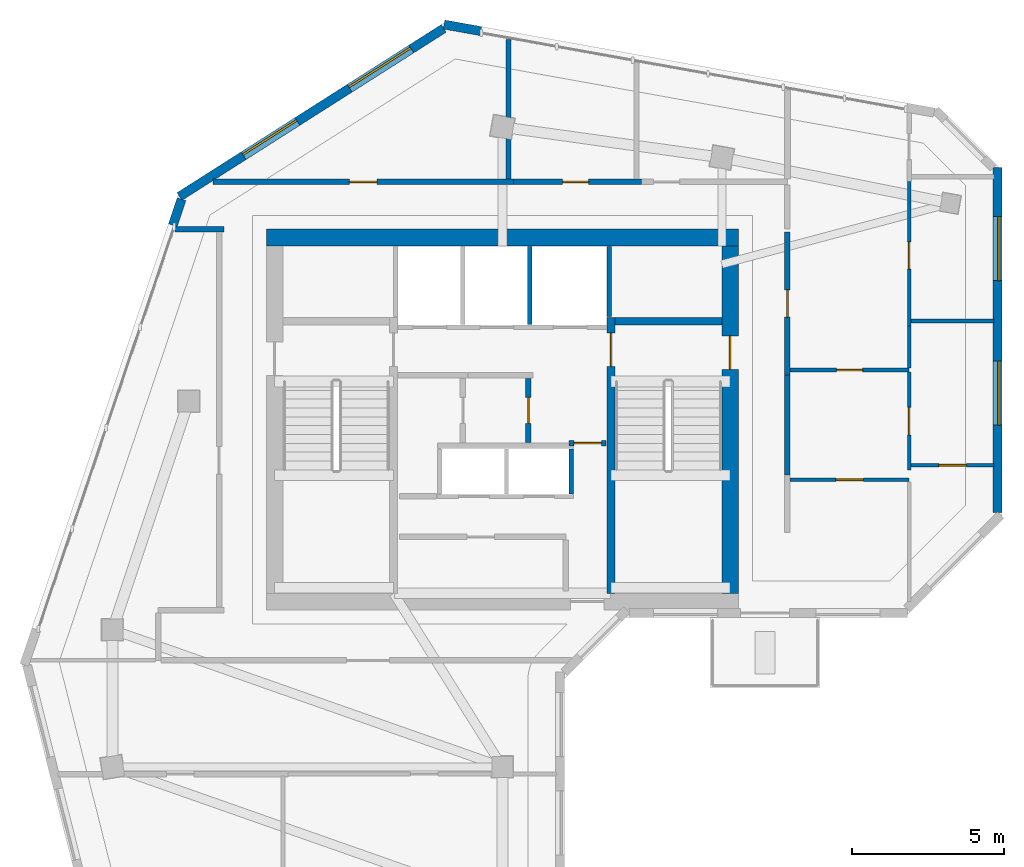
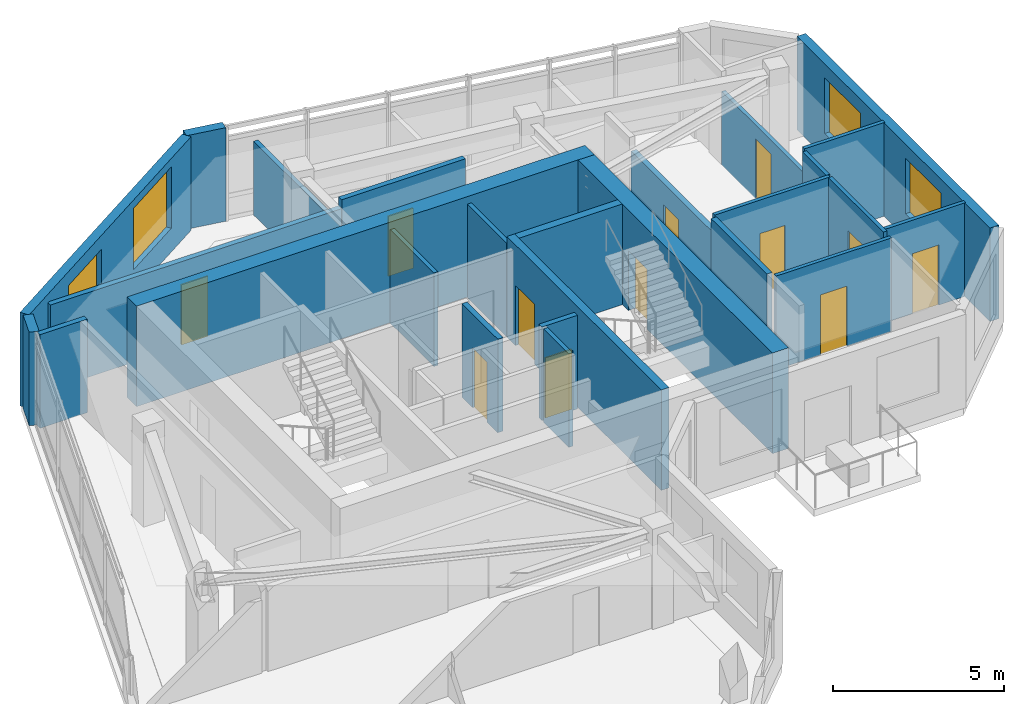
# One storey, part 4 of 7: 26 walls, 12 doors, 4 windows, 16 openings.
"""IFC4 building model written with IfcOpenShell, lengths in metres."""

from ifc_helpers import new_model, si_unit, direction, frame, frame_2d, origin, place, context, subcontext, project, spatial, rectangle, extrude, source, transform, mapped, material, layer, layer_set, type_object, element, fill, save


model = new_model("IFC4")

# Units and contexts
model_context = context("Model", 3, precision=1e-05, world=origin(), true_north=direction((0.0, 1.0)))
body_context = subcontext(model_context, "Body", "Model", "MODEL_VIEW")
ifc_project = project(units=[si_unit("LENGTHUNIT", "METRE"), si_unit("AREAUNIT", "SQUARE_METRE"), si_unit("VOLUMEUNIT", "CUBIC_METRE"), si_unit("PLANEANGLEUNIT", "RADIAN"), si_unit("MASSUNIT", "GRAM", prefix="KILO")], contexts=[model_context])

# Site, building, storey
site_placement = place(None, origin())
site = spatial("IfcSite", under=ifc_project, at=site_placement, CompositionType="ELEMENT")
building_placement = place(site_placement, origin())
building = spatial("IfcBuilding", under=site, at=building_placement, Name="Calvemar Wedge Station Tower", CompositionType="ELEMENT")
storey_placement = place(building_placement, frame((0.0, 0.0, 278.10009765625)))
storey = spatial("IfcBuildingStorey", under=building, at=storey_placement, Name="L71", CompositionType="ELEMENT", Elevation=278.10009765625)

# Wall, opening, door
ifc_material_1 = material(Name="Concrete C50", Category="concrete")
ifc_layer_1 = layer(ifc_material_1, 0.260009765625)
ifc_layer_set_1 = layer_set([ifc_layer_1], Name="Concrete C50")
wall_type_1 = type_object("IfcWallType", Name="SW-CORE-260", PredefinedType="SHEAR", material=ifc_layer_set_1)
wall_1_placement = place(storey_placement, frame((27.3701171875, 34.199951171875, 0.0), z_axis=(0.0, 0.0, 1.0), x_axis=(0.0, 1.0, 0.0)))
wall_1 = element("IfcWall", 1, at=wall_1_placement, inside=storey, type_object=wall_type_1, Name="Storey L71 Core Shear Wall SPINE-E", PredefinedType="SHEAR", context=body_context, shape_type="SweptSolid", body=[
    extrude(rectangle(XDim=9.06005859375, YDim=0.260009765625, at=frame_2d((4.530029296875, 0.0))), origin(), (0.0, 0.0, 1.0), 3.599853515625),
])
shared_shape_1 = source(origin(), body_context, "Body", "SweptSolid", [
    extrude(rectangle(XDim=1.10009765625, YDim=2.14990234375, at=frame_2d((0.550048828125, 1.074951171875))), frame((0.0, 0.14013671875, 0.0), z_axis=(0.0, -1.0, 0.0), x_axis=(1.0, 0.0, 0.0)), (0.0, 0.0, 1.0), 0.280029296875),
])
opening_1_placement = place(wall_1_placement, frame((7.449951171875, 0.0, 0.0)))
opening_1 = element("IfcOpeningElement", 2, at=opening_1_placement, cuts=wall_1, Name="Opening FD-90", PredefinedType="OPENING", context=body_context, shape_type="MappedRepresentation", body=[
    mapped(shared_shape_1, transform((0.0, 0.0, 0.0), scale=1.0)),
])
ifc_material_2 = material(Name="Galvanized fire-rated steel door leaf P-90", Category="steel")
door_type_1 = type_object("IfcDoorType", Name="DR-FD90-1100", OperationType="NOTDEFINED", PredefinedType="DOOR", material=ifc_material_2)
shared_shape_2 = source(origin(), body_context, "Body", "SweptSolid", [
    extrude(rectangle(XDim=1.10009765625, YDim=2.14990234375, at=frame_2d((0.550048828125, 1.074951171875))), frame((0.0, 0.02490234375, 0.0), z_axis=(0.0, -1.0, 0.0), x_axis=(1.0, 0.0, 0.0)), (0.0, 0.0, 1.0), 0.050048828125),
])
door_1_placement = place(opening_1_placement, origin())
door_1 = element("IfcDoor", 3, at=door_1_placement, inside=storey, type_object=door_type_1, Name="L71 FF Lobby to Stair ST-C2 Door", OperationType="SINGLE_SWING_RIGHT", OverallHeight=2.14990234375, OverallWidth=1.10009765625, PredefinedType="DOOR", context=body_context, shape_type="MappedRepresentation", body=[
    mapped(shared_shape_2, transform((0.0, 0.0, 0.0), scale=1.0)),
])
fill(opening_1, door_1)

# Walls
wall_2_placement = place(storey_placement, frame((27.5, 43.1298828125, 0.0), z_axis=(0.0, 0.0, 1.0), x_axis=(1.0, 0.0, 0.0)))
element("IfcWall", 4, at=wall_2_placement, inside=storey, type_object=wall_type_1, Name="Storey L71 Core Shear Wall STC2-N", PredefinedType="SHEAR", context=body_context, shape_type="SweptSolid", body=[
    extrude(rectangle(XDim=3.5, YDim=0.260009765625, at=frame_2d((1.75, 0.0))), origin(), (0.0, 0.0, 1.0), 3.599853515625),
])
ifc_material_3 = material(Name="Concrete C60", Category="concrete")
ifc_layer_2 = layer(ifc_material_3, 0.550048828125)
ifc_layer_set_2 = layer_set([ifc_layer_2], Name="Concrete C60")
wall_type_2 = type_object("IfcWallType", Name="SW-CORE-550", PredefinedType="SHEAR", material=ifc_layer_set_2)
wall_3_placement = place(storey_placement, frame((16.050048828125, 45.875, 0.0), z_axis=(0.0, 0.0, 1.0), x_axis=(1.0, 0.0, 0.0)))
element("IfcWall", 5, at=wall_3_placement, inside=storey, type_object=wall_type_2, Name="Storey L71 Core Shear Wall N", PredefinedType="SHEAR", context=body_context, shape_type="SweptSolid", body=[
    extrude(rectangle(XDim=15.5, YDim=0.550048828125, at=frame_2d((7.75, 0.0))), origin(), (0.0, 0.0, 1.0), 3.599853515625),
])

# Wall, opening, door
wall_4_placement = place(storey_placement, frame((31.27490234375, 34.199951171875, 0.0), z_axis=(0.0, 0.0, 1.0), x_axis=(0.0, 1.0, 0.0)))
wall_4 = element("IfcWall", 6, at=wall_4_placement, inside=storey, type_object=wall_type_2, Name="Storey L71 Core Shear Wall E", PredefinedType="SHEAR", context=body_context, shape_type="SweptSolid", body=[
    extrude(rectangle(XDim=11.400146484375, YDim=0.550048828125, at=frame_2d((5.7001953125, 0.0))), origin(), (0.0, 0.0, 1.0), 3.599853515625),
])
shared_shape_3 = source(origin(), body_context, "Body", "SweptSolid", [
    extrude(rectangle(XDim=1.10009765625, YDim=2.14990234375, at=frame_2d((0.550048828125, 1.074951171875))), frame((0.0, 0.28515625, 0.0), z_axis=(0.0, -1.0, 0.0), x_axis=(1.0, 0.0, 0.0)), (0.0, 0.0, 1.0), 0.570068359375),
])
opening_2_placement = place(wall_4_placement, frame((7.35009765625, 0.0, 0.0)))
opening_2 = element("IfcOpeningElement", 7, at=opening_2_placement, cuts=wall_4, Name="Opening FD-90", PredefinedType="OPENING", context=body_context, shape_type="MappedRepresentation", body=[
    mapped(shared_shape_3, transform((0.0, 0.0, 0.0), scale=1.0)),
])
door_2_placement = place(opening_2_placement, origin())
door_2 = element("IfcDoor", 8, at=door_2_placement, inside=storey, type_object=door_type_1, Name="L71 East Corridor to Exit Stair ST-C2 Door", OperationType="SINGLE_SWING_RIGHT", OverallHeight=2.14990234375, OverallWidth=1.10009765625, PredefinedType="DOOR", context=body_context, shape_type="MappedRepresentation", body=[
    mapped(shared_shape_2, transform((0.0, 0.0, 0.0), scale=1.0)),
])
fill(opening_2, door_2)

ifc_material_4 = material(Name="Double-stud fire-rated corridor partition")
ifc_layer_3 = layer(ifc_material_4, 0.179931640625)
ifc_layer_set_3 = layer_set([ifc_layer_3], Name="Double-stud fire-rated corridor partition")
wall_type_3 = type_object("IfcWallType", Name="W-CORR-180", PredefinedType="PARTITIONING", material=ifc_layer_set_3)
wall_5_placement = place(storey_placement, frame((24.64990234375, 41.256103515625, 0.0), z_axis=(0.0, 0.0, 1.0), x_axis=(0.0, -1.0, 0.0)))
wall_5 = element("IfcWall", 9, at=wall_5_placement, inside=storey, type_object=wall_type_3, Name="Storey L71 Interior Partition WL-L71-005", PredefinedType="PARTITIONING", context=body_context, shape_type="SweptSolid", body=[
    extrude(rectangle(XDim=2.106201171875, YDim=0.179931640625, at=frame_2d((1.05322265625, 0.0))), origin(), (0.0, 0.0, 1.0), 3.349853515625),
])
shared_shape_4 = source(origin(), body_context, "Body", "SweptSolid", [
    extrude(rectangle(XDim=0.85009765625, YDim=2.14990234375, at=frame_2d((0.425048828125, 1.074951171875))), frame((0.0, 0.10009765625, 0.0), z_axis=(0.0, -1.0, 0.0), x_axis=(1.0, 0.0, 0.0)), (0.0, 0.0, 1.0), 0.199951171875),
])
opening_3_placement = place(wall_5_placement, frame((0.6279296875, 0.0, 0.0)))
opening_3 = element("IfcOpeningElement", 10, at=opening_3_placement, cuts=wall_5, Name="Opening FD-60S", PredefinedType="OPENING", context=body_context, shape_type="MappedRepresentation", body=[
    mapped(shared_shape_4, transform((0.0, 0.0, 0.0), scale=1.0)),
])
ifc_material_5 = material(Name="Fire-rated steel and hardwood service door EI 60", Category="steel")
door_type_2 = type_object("IfcDoorType", Name="DR-CORE-FD60-850", OperationType="NOTDEFINED", PredefinedType="DOOR", material=ifc_material_5)
shared_shape_5 = source(origin(), body_context, "Body", "SweptSolid", [
    extrude(rectangle(XDim=0.85009765625, YDim=2.14990234375, at=frame_2d((0.425048828125, 1.074951171875))), frame((0.0, 0.02490234375, 0.0), z_axis=(0.0, -1.0, 0.0), x_axis=(1.0, 0.0, 0.0)), (0.0, 0.0, 1.0), 0.050048828125),
])
door_3_placement = place(opening_3_placement, origin())
door_3 = element("IfcDoor", 11, at=door_3_placement, inside=storey, type_object=door_type_2, Name="L71 Core Equipment Store Door", OperationType="SINGLE_SWING_LEFT", OverallHeight=2.14990234375, OverallWidth=0.85009765625, PredefinedType="DOOR", context=body_context, shape_type="MappedRepresentation", body=[
    mapped(shared_shape_5, transform((0.0, 0.0, 0.0), scale=1.0)),
])
fill(opening_3, door_3)

wall_6_placement = place(storey_placement, frame((27.199951171875, 39.1298828125, 0.0), z_axis=(0.0, 0.0, 1.0), x_axis=(-1.0, 0.0, 0.0)))
wall_6 = element("IfcWall", 12, at=wall_6_placement, inside=storey, type_object=wall_type_3, Name="Storey L71 Interior Partition WL-L71-006", PredefinedType="PARTITIONING", context=body_context, shape_type="SweptSolid", body=[
    extrude(rectangle(XDim=1.2099609375, YDim=0.179931640625, at=frame_2d((0.60498046875, 0.0))), origin(), (0.0, 0.0, 1.0), 3.349853515625),
])
shared_shape_6 = source(origin(), body_context, "Body", "SweptSolid", [
    extrude(rectangle(XDim=0.89990234375, YDim=2.14990234375, at=frame_2d((0.449951171875, 1.074951171875))), frame((0.0, 0.10009765625, 0.0), z_axis=(0.0, -1.0, 0.0), x_axis=(1.0, 0.0, 0.0)), (0.0, 0.0, 1.0), 0.199951171875),
])
opening_4_placement = place(wall_6_placement, frame((0.155029296875, 0.0, 0.0)))
opening_4 = element("IfcOpeningElement", 13, at=opening_4_placement, cuts=wall_6, Name="Opening FD-60", PredefinedType="OPENING", context=body_context, shape_type="MappedRepresentation", body=[
    mapped(shared_shape_6, transform((0.0, 0.0, 0.0), scale=1.0)),
])
ifc_material_6 = material(Name="Fire-rated acoustic timber-core entrance door EI 60", Category="wood")
door_type_3 = type_object("IfcDoorType", Name="DR-FD60-900", OperationType="NOTDEFINED", PredefinedType="DOOR", material=ifc_material_6)
shared_shape_7 = source(origin(), body_context, "Body", "SweptSolid", [
    extrude(rectangle(XDim=0.89990234375, YDim=2.14990234375, at=frame_2d((0.449951171875, 1.074951171875))), frame((0.0, 0.02490234375, 0.0), z_axis=(0.0, -1.0, 0.0), x_axis=(1.0, 0.0, 0.0)), (0.0, 0.0, 1.0), 0.050048828125),
])
door_4_placement = place(opening_4_placement, origin())
door_4 = element("IfcDoor", 14, at=door_4_placement, inside=storey, type_object=door_type_3, Name="L71 Core Service Lobby Door", OperationType="SINGLE_SWING_RIGHT", OverallHeight=2.14990234375, OverallWidth=0.89990234375, PredefinedType="DOOR", context=body_context, shape_type="MappedRepresentation", body=[
    mapped(shared_shape_7, transform((0.0, 0.0, 0.0), scale=1.0)),
])
fill(opening_4, door_4)

# Wall
wall_7_placement = place(storey_placement, frame((14.659912109375, 46.14990234375, 0.0), z_axis=(0.0, 0.0, 1.0), x_axis=(-1.0, 0.0, 0.0)))
element("IfcWall", 15, at=wall_7_placement, inside=storey, type_object=wall_type_3, Name="Storey L71 Interior Partition WL-L71-013", PredefinedType="PARTITIONING", context=body_context, shape_type="SweptSolid", body=[
    extrude(rectangle(XDim=1.602294921875, YDim=0.179931640625, at=frame_2d((0.80126953125, 0.0))), origin(), (0.0, 0.0, 1.0), 3.349853515625),
])

# Wall, opening, door
wall_8_placement = place(storey_placement, frame((14.29541015625, 47.699951171875, 0.0), z_axis=(0.0, 0.0, 1.0), x_axis=(1.0, 0.0, 0.0)))
wall_8 = element("IfcWall", 16, at=wall_8_placement, inside=storey, type_object=wall_type_3, Name="Storey L71 Interior Partition WL-L71-014", PredefinedType="PARTITIONING", context=body_context, shape_type="SweptSolid", body=[
    extrude(rectangle(XDim=9.864501953125, YDim=0.179931640625, at=frame_2d((4.93212890625, 0.0))), origin(), (0.0, 0.0, 1.0), 3.033935546875),
])
opening_5_placement = place(wall_8_placement, frame((4.482421875, 0.0, 0.0)))
opening_5 = element("IfcOpeningElement", 17, at=opening_5_placement, cuts=wall_8, Name="Opening D-01", PredefinedType="OPENING", context=body_context, shape_type="MappedRepresentation", body=[
    mapped(shared_shape_6, transform((0.0, 0.0, 0.0), scale=1.0)),
])
ifc_material_7 = material(Name="Architectural hardwood acoustic swing door", Category="wood")
door_type_4 = type_object("IfcDoorType", Name="DR-INT-900", OperationType="NOTDEFINED", PredefinedType="DOOR", material=ifc_material_7)
shared_shape_8 = source(origin(), body_context, "Body", "SweptSolid", [
    extrude(rectangle(XDim=0.89990234375, YDim=2.14990234375, at=frame_2d((0.449951171875, 1.074951171875))), frame((0.0, 0.02490234375, 0.0), z_axis=(0.0, -1.0, 0.0), x_axis=(1.0, 0.0, 0.0)), (0.0, 0.0, 1.0), 0.050048828125),
])
door_5_placement = place(opening_5_placement, origin())
door_5 = element("IfcDoor", 18, at=door_5_placement, inside=storey, type_object=door_type_4, Name="L71 Fitness Studio Door", OperationType="SINGLE_SWING_LEFT", OverallHeight=2.14990234375, OverallWidth=0.89990234375, PredefinedType="DOOR", context=body_context, shape_type="MappedRepresentation", body=[
    mapped(shared_shape_8, transform((0.0, 0.0, 0.0), scale=1.0)),
])
fill(opening_5, door_5)

wall_9_placement = place(storey_placement, frame((24.162109375, 47.699951171875, 0.0), z_axis=(0.0, 0.0, 1.0), x_axis=(1.0, 0.0, 0.0)))
wall_9 = element("IfcWall", 19, at=wall_9_placement, inside=storey, type_object=wall_type_3, Name="Storey L71 Interior Partition WL-L71-015", PredefinedType="PARTITIONING", context=body_context, shape_type="SweptSolid", body=[
    extrude(rectangle(XDim=4.197998046875, YDim=0.179931640625, at=frame_2d((2.09912109375, 0.0))), origin(), (0.0, 0.0, 1.0), 3.349853515625),
])
opening_6_placement = place(wall_9_placement, frame((1.61328125, 0.0, 0.0)))
opening_6 = element("IfcOpeningElement", 20, at=opening_6_placement, cuts=wall_9, Name="Opening D-02", PredefinedType="OPENING", context=body_context, shape_type="MappedRepresentation", body=[
    mapped(shared_shape_4, transform((0.0, 0.0, 0.0), scale=1.0)),
])
ifc_material_8 = material(Name="Moisture-sealed bathroom hardwood swing door", Category="wood")
door_type_5 = type_object("IfcDoorType", Name="DR-WET-850", OperationType="NOTDEFINED", PredefinedType="DOOR", material=ifc_material_8)
shared_shape_9 = source(origin(), body_context, "Body", "SweptSolid", [
    extrude(rectangle(XDim=0.85009765625, YDim=2.14990234375, at=frame_2d((0.425048828125, 1.074951171875))), frame((0.0, 0.02490234375, 0.0), z_axis=(0.0, -1.0, 0.0), x_axis=(1.0, 0.0, 0.0)), (0.0, 0.0, 1.0), 0.050048828125),
])
door_6_placement = place(opening_6_placement, origin())
door_6 = element("IfcDoor", 21, at=door_6_placement, inside=storey, type_object=door_type_5, Name="L71 Accessible WC Door", OperationType="SINGLE_SWING_RIGHT", OverallHeight=2.14990234375, OverallWidth=0.85009765625, PredefinedType="DOOR", context=body_context, shape_type="MappedRepresentation", body=[
    mapped(shared_shape_9, transform((0.0, 0.0, 0.0), scale=1.0)),
])
fill(opening_6, door_6)

wall_10_placement = place(storey_placement, frame((33.14990234375, 46.055908203125, 0.0), z_axis=(0.0, 0.0, 1.0), x_axis=(0.0, -1.0, 0.0)))
wall_10 = element("IfcWall", 22, at=wall_10_placement, inside=storey, type_object=wall_type_3, Name="Storey L71 Interior Partition WL-L71-019", PredefinedType="PARTITIONING", context=body_context, shape_type="SweptSolid", body=[
    extrude(rectangle(XDim=4.68896484375, YDim=0.179931640625, at=frame_2d((2.344482421875, 0.0))), origin(), (0.0, 0.0, 1.0), 2.921875),
])
opening_7_placement = place(wall_10_placement, frame((1.89453125, 0.0, 0.0)))
opening_7 = element("IfcOpeningElement", 23, at=opening_7_placement, cuts=wall_10, Name="Opening FD-60", PredefinedType="OPENING", context=body_context, shape_type="MappedRepresentation", body=[
    mapped(shared_shape_6, transform((0.0, 0.0, 0.0), scale=1.0)),
])
door_7_placement = place(opening_7_placement, origin())
door_7 = element("IfcDoor", 24, at=door_7_placement, inside=storey, type_object=door_type_3, Name="L71 Living Dining Door", OperationType="SINGLE_SWING_LEFT", OverallHeight=2.14990234375, OverallWidth=0.89990234375, PredefinedType="DOOR", context=body_context, shape_type="MappedRepresentation", body=[
    mapped(shared_shape_7, transform((0.0, 0.0, 0.0), scale=1.0)),
])
fill(opening_7, door_7)

# Wall
wall_11_placement = place(storey_placement, frame((33.14990234375, 41.364990234375, 0.0), z_axis=(0.0, 0.0, 1.0), x_axis=(0.0, -1.0, 0.0)))
element("IfcWall", 25, at=wall_11_placement, inside=storey, type_object=wall_type_3, Name="Storey L71 Interior Partition WL-L71-020", PredefinedType="PARTITIONING", context=body_context, shape_type="SweptSolid", body=[
    extrude(rectangle(XDim=3.27587890625, YDim=0.179931640625, at=frame_2d((1.637939453125, 0.0))), origin(), (0.0, 0.0, 1.0), 3.349853515625),
])

# Wall, openings, windows
ifc_material_9 = material(Name="Precast concrete C45", Category="concrete")
ifc_layer_4 = layer(ifc_material_9, 0.300048828125)
ifc_layer_set_4 = layer_set([ifc_layer_4], Name="Precast concrete C45")
wall_type_4 = type_object("IfcWallType", Name="W-EXT-GFRC-300", PredefinedType="SOLIDWALL", material=ifc_layer_set_4)
wall_12_placement = place(storey_placement, frame((40.050048828125, 36.857421875, 0.0), z_axis=(0.0, 0.0, 1.0), x_axis=(0.0, 1.0, 0.0)))
wall_12 = element("IfcWall", 26, at=wall_12_placement, inside=storey, type_object=wall_type_4, Name="Storey L71 Bronze GFRC Exterior Wall 8", PredefinedType="SOLIDWALL", context=body_context, shape_type="SweptSolid", body=[
    extrude(rectangle(XDim=11.318359375, YDim=0.300048828125, at=frame_2d((5.6591796875, 0.0))), origin(), (0.0, 0.0, 1.0), 3.349853515625),
])
shared_shape_10 = source(origin(), body_context, "Body", "SweptSolid", [
    extrude(rectangle(XDim=2.10009765625, YDim=2.0, at=frame_2d((1.050048828125, 1.0))), frame((0.0, 0.16015625, 0.0), z_axis=(0.0, -1.0, 0.0), x_axis=(1.0, 0.0, 0.0)), (0.0, 0.0, 1.0), 0.320068359375),
])
opening_8_placement = place(wall_12_placement, frame((2.864013671875, 0.0, 0.85009765625)))
opening_8 = element("IfcOpeningElement", 27, at=opening_8_placement, cuts=wall_12, Name="Opening W4", PredefinedType="OPENING", context=body_context, shape_type="MappedRepresentation", body=[
    mapped(shared_shape_10, transform((0.0, 0.0, 0.0), scale=1.0)),
])
opening_9_placement = place(wall_12_placement, frame((7.60107421875, 0.0, 0.85009765625)))
opening_9 = element("IfcOpeningElement", 28, at=opening_9_placement, cuts=wall_12, Name="Opening W4", PredefinedType="OPENING", context=body_context, shape_type="MappedRepresentation", body=[
    mapped(shared_shape_10, transform((0.0, 0.0, 0.0), scale=1.0)),
])
ifc_material_10 = material(Name="Low-E laminated insulated glass", Category="glass")
window_type_1 = type_object("IfcWindowType", Name="WIN-EXT-4", PartitioningType="SINGLE_PANEL", PredefinedType="WINDOW", material=ifc_material_10)
shared_shape_11 = source(origin(), body_context, "Body", "SweptSolid", [
    extrude(rectangle(XDim=2.10009765625, YDim=2.0, at=frame_2d((1.050048828125, 1.0))), frame((0.0, -0.014892578125, 0.0), z_axis=(0.0, -1.0, 0.0), x_axis=(1.0, 0.0, 0.0)), (0.0, 0.0, 1.0), 0.06005859375),
])
window_1_placement = place(opening_8_placement, origin())
window_1 = element("IfcWindow", 29, at=window_1_placement, inside=storey, type_object=window_type_1, Name="Storey L71 Recessed Window 8.1", OverallHeight=2.0, OverallWidth=2.10009765625, PartitioningType="SINGLE_PANEL", PredefinedType="WINDOW", context=body_context, shape_type="MappedRepresentation", body=[
    mapped(shared_shape_11, transform((0.0, 0.0, 0.0), scale=1.0)),
])
fill(opening_8, window_1)
window_2_placement = place(opening_9_placement, origin())
window_2 = element("IfcWindow", 30, at=window_2_placement, inside=storey, type_object=window_type_1, Name="Storey L71 Recessed Window 8.2", OverallHeight=2.0, OverallWidth=2.10009765625, PartitioningType="SINGLE_PANEL", PredefinedType="WINDOW", context=body_context, shape_type="MappedRepresentation", body=[
    mapped(shared_shape_11, transform((0.0, 0.0, 0.0), scale=1.0)),
])
fill(opening_9, window_2)

# Wall
wall_13_placement = place(storey_placement, frame((23.089111328125, 52.65185546875, 0.0), z_axis=(0.0, 0.0, 1.0), x_axis=(-0.984247203219, 0.1767977459, 0.0)))
element("IfcWall", 31, at=wall_13_placement, inside=storey, type_object=wall_type_4, Name="Storey L71 Bronze GFRC Corner Pier 10B", PredefinedType="SOLIDWALL", context=body_context, shape_type="SweptSolid", body=[
    extrude(rectangle(XDim=1.224853515625, YDim=0.300048828125, at=frame_2d((0.6123046875, 0.0))), origin(), (0.0, 0.0, 1.0), 3.349853515625),
])

# Wall, openings, windows
wall_14_placement = place(storey_placement, frame((21.872802734375, 52.7412109375, 0.0), z_axis=(0.0, 0.0, 1.0), x_axis=(-0.843661487732, -0.536875492193, 0.0)))
wall_14 = element("IfcWall", 32, at=wall_14_placement, inside=storey, type_object=wall_type_4, Name="Storey L71 Bronze GFRC Exterior Wall 11", PredefinedType="SOLIDWALL", context=body_context, shape_type="SweptSolid", body=[
    extrude(rectangle(XDim=10.28173828125, YDim=0.300048828125, at=frame_2d((5.140869140625, 0.0))), origin(), (0.0, 0.0, 1.0), 3.349853515625),
])
shared_shape_12 = source(origin(), body_context, "Body", "SweptSolid", [
    extrude(rectangle(XDim=2.39990234375, YDim=2.199951171875, at=frame_2d((1.199951171875, 1.10009765625))), frame((0.0, 0.16015625, 0.0), z_axis=(0.0, -1.0, 0.0), x_axis=(1.0, 0.0, 0.0)), (0.0, 0.0, 1.0), 0.320068359375),
])
opening_10_placement = place(wall_14_placement, frame((1.260009765625, 0.0, 0.85009765625)))
opening_10 = element("IfcOpeningElement", 33, at=opening_10_placement, cuts=wall_14, Name="Opening W1", PredefinedType="OPENING", context=body_context, shape_type="MappedRepresentation", body=[
    mapped(shared_shape_12, transform((0.0, 0.0, 0.0), scale=1.0)),
])
opening_11_placement = place(wall_14_placement, frame((5.68896484375, 0.0, 0.85009765625)))
opening_11 = element("IfcOpeningElement", 34, at=opening_11_placement, cuts=wall_14, Name="Opening W4", PredefinedType="OPENING", context=body_context, shape_type="MappedRepresentation", body=[
    mapped(shared_shape_10, transform((0.0, 0.0, 0.0), scale=1.0)),
])
window_3_placement = place(opening_11_placement, origin())
window_3 = element("IfcWindow", 35, at=window_3_placement, inside=storey, type_object=window_type_1, Name="Storey L71 Recessed Window 11.2", OverallHeight=2.0, OverallWidth=2.10009765625, PartitioningType="SINGLE_PANEL", PredefinedType="WINDOW", context=body_context, shape_type="MappedRepresentation", body=[
    mapped(shared_shape_11, transform((0.0, 0.0, 0.0), scale=1.0)),
])
fill(opening_11, window_3)
window_type_2 = type_object("IfcWindowType", Name="WIN-EXT-1", PartitioningType="SINGLE_PANEL", PredefinedType="WINDOW", material=ifc_material_10)
shared_shape_13 = source(origin(), body_context, "Body", "SweptSolid", [
    extrude(rectangle(XDim=2.39990234375, YDim=2.199951171875, at=frame_2d((1.199951171875, 1.10009765625))), frame((0.0, -0.014892578125, 0.0), z_axis=(0.0, -1.0, 0.0), x_axis=(1.0, 0.0, 0.0)), (0.0, 0.0, 1.0), 0.06005859375),
])
window_4_placement = place(opening_10_placement, origin())
window_4 = element("IfcWindow", 36, at=window_4_placement, inside=storey, type_object=window_type_2, Name="Storey L71 Recessed Window 11.1", OverallHeight=2.199951171875, OverallWidth=2.39990234375, PartitioningType="SINGLE_PANEL", PredefinedType="WINDOW", context=body_context, shape_type="MappedRepresentation", body=[
    mapped(shared_shape_13, transform((0.0, 0.0, 0.0), scale=1.0)),
])
fill(opening_10, window_4)

# Walls
wall_15_placement = place(storey_placement, frame((13.2685546875, 47.1337890625, 0.0), z_axis=(0.0, 0.0, 1.0), x_axis=(-0.320141844474, -0.947369621329, 0.0)))
element("IfcWall", 37, at=wall_15_placement, inside=storey, type_object=wall_type_4, Name="Storey L71 Bronze GFRC Corner Pier 12A", PredefinedType="SOLIDWALL", context=body_context, shape_type="SweptSolid", body=[
    extrude(rectangle(XDim=0.8974609375, YDim=0.300048828125, at=frame_2d((0.44873046875, 0.0))), origin(), (0.0, 0.0, 1.0), 3.349853515625),
])
ifc_material_11 = material(Name="Reinforced concrete blockwork lift shaft wall", Category="masonry")
ifc_layer_5 = layer(ifc_material_11, 0.139892578125)
ifc_layer_set_5 = layer_set([ifc_layer_5], Name="Reinforced concrete blockwork lift shaft wall")
wall_type_5 = type_object("IfcWallType", Name="W-LIFT-160", PredefinedType="SOLIDWALL", material=ifc_layer_set_5)
wall_16_placement = place(storey_placement, frame((27.31005859375, 43.280029296875, 0.0), z_axis=(0.0, 0.0, 1.0), x_axis=(0.0, 1.0, 0.0)))
element("IfcWall", 38, at=wall_16_placement, inside=storey, type_object=wall_type_5, Name="Storey L71 Firefighting Lift Shaft Enclosure Wall E", PredefinedType="SOLIDWALL", context=body_context, shape_type="SweptSolid", body=[
    extrude(rectangle(XDim=2.300048828125, YDim=0.139892578125, at=frame_2d((1.14990234375, 0.0))), origin(), (0.0, 0.0, 1.0), 3.349853515625),
])
wall_17_placement = place(storey_placement, frame((24.699951171875, 43.02001953125, 0.0), z_axis=(0.0, 0.0, 1.0), x_axis=(0.0, 1.0, 0.0)))
element("IfcWall", 39, at=wall_17_placement, inside=storey, type_object=wall_type_5, Name="Storey L71 Firefighting Lift Shaft Enclosure Wall D2", PredefinedType="SOLIDWALL", context=body_context, shape_type="SweptSolid", body=[
    extrude(rectangle(XDim=2.56005859375, YDim=0.139892578125, at=frame_2d((1.280029296875, 0.0))), origin(), (0.0, 0.0, 1.0), 3.349853515625),
])
wall_18_placement = place(storey_placement, frame((26.06005859375, 37.4599609375, 0.0), z_axis=(0.0, 0.0, 1.0), x_axis=(0.0, 1.0, 0.0)))
element("IfcWall", 40, at=wall_18_placement, inside=storey, type_object=wall_type_5, Name="Storey L71 Upper Passenger Lift Shaft Wall E", PredefinedType="SOLIDWALL", context=body_context, shape_type="SweptSolid", body=[
    extrude(rectangle(XDim=1.47998046875, YDim=0.139892578125, at=frame_2d((0.739990234375, 0.0))), origin(), (0.0, 0.0, 1.0), 3.349853515625),
])

# Wall, opening, door
ifc_material_12 = material(Name="Insulated acoustic gypsum stud partition")
ifc_layer_6 = layer(ifc_material_12, 0.125)
ifc_layer_set_6 = layer_set([ifc_layer_6], Name="Insulated acoustic gypsum stud partition")
wall_type_6 = type_object("IfcWallType", Name="W-PART-125", PredefinedType="PARTITIONING", material=ifc_layer_set_6)
wall_19_placement = place(storey_placement, frame((33.243896484375, 37.927001953125, 0.0), z_axis=(0.0, 0.0, 1.0), x_axis=(1.0, 0.0, 0.0)))
wall_19 = element("IfcWall", 41, at=wall_19_placement, inside=storey, type_object=wall_type_6, Name="Storey L71 Interior Partition WL-L71-025", PredefinedType="PARTITIONING", context=body_context, shape_type="SweptSolid", body=[
    extrude(rectangle(XDim=3.906005859375, YDim=0.125, at=frame_2d((1.953125, 0.0))), origin(), (0.0, 0.0, 1.0), 3.349853515625),
])
shared_shape_14 = source(origin(), body_context, "Body", "SweptSolid", [
    extrude(rectangle(XDim=0.89990234375, YDim=2.14990234375, at=frame_2d((0.449951171875, 1.074951171875))), frame((0.0, 0.072509765625, 0.0), z_axis=(0.0, -1.0, 0.0), x_axis=(1.0, 0.0, 0.0)), (0.0, 0.0, 1.0), 0.14501953125),
])
opening_12_placement = place(wall_19_placement, frame((1.5029296875, 0.0, 0.0)))
opening_12 = element("IfcOpeningElement", 42, at=opening_12_placement, cuts=wall_19, Name="Opening D-01", PredefinedType="OPENING", context=body_context, shape_type="MappedRepresentation", body=[
    mapped(shared_shape_14, transform((0.0, 0.0, 0.0), scale=1.0)),
])
door_8_placement = place(opening_12_placement, origin())
door_8 = element("IfcDoor", 43, at=door_8_placement, inside=storey, type_object=door_type_4, Name="L71 Study Door", OperationType="SINGLE_SWING_RIGHT", OverallHeight=2.14990234375, OverallWidth=0.89990234375, PredefinedType="DOOR", context=body_context, shape_type="MappedRepresentation", body=[
    mapped(shared_shape_8, transform((0.0, 0.0, 0.0), scale=1.0)),
])
fill(opening_12, door_8)

wall_20_placement = place(storey_placement, frame((37.14990234375, 41.527099609375, 0.0), z_axis=(0.0, 0.0, 1.0), x_axis=(-1.0, 0.0, 0.0)))
wall_20 = element("IfcWall", 44, at=wall_20_placement, inside=storey, type_object=wall_type_6, Name="Storey L71 Interior Partition WL-L71-027", PredefinedType="PARTITIONING", context=body_context, shape_type="SweptSolid", body=[
    extrude(rectangle(XDim=3.906005859375, YDim=0.125, at=frame_2d((1.953125, 0.0))), origin(), (0.0, 0.0, 1.0), 3.349853515625),
])
shared_shape_15 = source(origin(), body_context, "Body", "SweptSolid", [
    extrude(rectangle(XDim=0.85009765625, YDim=2.14990234375, at=frame_2d((0.425048828125, 1.074951171875))), frame((0.0, 0.072509765625, 0.0), z_axis=(0.0, -1.0, 0.0), x_axis=(1.0, 0.0, 0.0)), (0.0, 0.0, 1.0), 0.14501953125),
])
opening_13_placement = place(wall_20_placement, frame((1.528076171875, 0.0, 0.0)))
opening_13 = element("IfcOpeningElement", 45, at=opening_13_placement, cuts=wall_20, Name="Opening D-02", PredefinedType="OPENING", context=body_context, shape_type="MappedRepresentation", body=[
    mapped(shared_shape_15, transform((0.0, 0.0, 0.0), scale=1.0)),
])
door_9_placement = place(opening_13_placement, origin())
door_9 = element("IfcDoor", 46, at=door_9_placement, inside=storey, type_object=door_type_5, Name="L71 Kitchen Door", OperationType="SINGLE_SWING_RIGHT", OverallHeight=2.14990234375, OverallWidth=0.85009765625, PredefinedType="DOOR", context=body_context, shape_type="MappedRepresentation", body=[
    mapped(shared_shape_9, transform((0.0, 0.0, 0.0), scale=1.0)),
])
fill(opening_13, door_9)

wall_21_placement = place(storey_placement, frame((37.14990234375, 47.715087890625, 0.0), z_axis=(0.0, 0.0, 1.0), x_axis=(0.0, -1.0, 0.0)))
wall_21 = element("IfcWall", 47, at=wall_21_placement, inside=storey, type_object=wall_type_6, Name="Storey L71 Interior Partition WL-L71-029", PredefinedType="PARTITIONING", context=body_context, shape_type="SweptSolid", body=[
    extrude(rectangle(XDim=4.735107421875, YDim=0.125, at=frame_2d((2.36767578125, 0.0))), origin(), (0.0, 0.0, 1.0), 2.641845703125),
])
opening_14_placement = place(wall_21_placement, frame((1.97802734375, 0.0, 0.0)))
opening_14 = element("IfcOpeningElement", 48, at=opening_14_placement, cuts=wall_21, Name="Opening D-01", PredefinedType="OPENING", context=body_context, shape_type="MappedRepresentation", body=[
    mapped(shared_shape_14, transform((0.0, 0.0, 0.0), scale=1.0)),
])
door_10_placement = place(opening_14_placement, origin())
door_10 = element("IfcDoor", 49, at=door_10_placement, inside=storey, type_object=door_type_4, Name="L71 Master Bedroom Door", OperationType="SINGLE_SWING_RIGHT", OverallHeight=2.14990234375, OverallWidth=0.89990234375, PredefinedType="DOOR", context=body_context, shape_type="MappedRepresentation", body=[
    mapped(shared_shape_8, transform((0.0, 0.0, 0.0), scale=1.0)),
])
fill(opening_14, door_10)

# Wall
wall_22_placement = place(storey_placement, frame((37.14990234375, 42.97802734375, 0.0), z_axis=(0.0, 0.0, 1.0), x_axis=(0.0, -1.0, 0.0)))
element("IfcWall", 50, at=wall_22_placement, inside=storey, type_object=wall_type_6, Name="Storey L71 Interior Partition WL-L71-030", PredefinedType="PARTITIONING", context=body_context, shape_type="SweptSolid", body=[
    extrude(rectangle(XDim=1.384521484375, YDim=0.125, at=frame_2d((0.6923828125, 0.0))), origin(), (0.0, 0.0, 1.0), 3.349853515625),
])

# Wall, opening, door
wall_23_placement = place(storey_placement, frame((37.14990234375, 41.46044921875, 0.0), z_axis=(0.0, 0.0, 1.0), x_axis=(0.0, -1.0, 0.0)))
wall_23 = element("IfcWall", 51, at=wall_23_placement, inside=storey, type_object=wall_type_6, Name="Storey L71 Interior Partition WL-L71-031", PredefinedType="PARTITIONING", context=body_context, shape_type="SweptSolid", body=[
    extrude(rectangle(XDim=3.218505859375, YDim=0.125, at=frame_2d((1.609375, 0.0))), origin(), (0.0, 0.0, 1.0), 3.349853515625),
])
opening_15_placement = place(wall_23_placement, frame((1.1591796875, 0.0, 0.0)))
opening_15 = element("IfcOpeningElement", 52, at=opening_15_placement, cuts=wall_23, Name="Opening D-01", PredefinedType="OPENING", context=body_context, shape_type="MappedRepresentation", body=[
    mapped(shared_shape_14, transform((0.0, 0.0, 0.0), scale=1.0)),
])
door_11_placement = place(opening_15_placement, origin())
door_11 = element("IfcDoor", 53, at=door_11_placement, inside=storey, type_object=door_type_4, Name="L71 Bedroom Door", OperationType="SINGLE_SWING_LEFT", OverallHeight=2.14990234375, OverallWidth=0.89990234375, PredefinedType="DOOR", context=body_context, shape_type="MappedRepresentation", body=[
    mapped(shared_shape_8, transform((0.0, 0.0, 0.0), scale=1.0)),
])
fill(opening_15, door_11)

# Wall
wall_24_placement = place(storey_placement, frame((39.93505859375, 43.139892578125, 0.0), z_axis=(0.0, 0.0, 1.0), x_axis=(-1.0, 0.0, 0.0)))
element("IfcWall", 54, at=wall_24_placement, inside=storey, type_object=wall_type_6, Name="Storey L71 Interior Partition WL-L71-033", PredefinedType="PARTITIONING", context=body_context, shape_type="SweptSolid", body=[
    extrude(rectangle(XDim=2.718505859375, YDim=0.125, at=frame_2d((1.359375, 0.0))), origin(), (0.0, 0.0, 1.0), 3.349853515625),
])

# Wall, opening, door
wall_25_placement = place(storey_placement, frame((39.93505859375, 38.402099609375, 0.0), z_axis=(0.0, 0.0, 1.0), x_axis=(-1.0, 0.0, 0.0)))
wall_25 = element("IfcWall", 55, at=wall_25_placement, inside=storey, type_object=wall_type_6, Name="Storey L71 Interior Partition WL-L71-034", PredefinedType="PARTITIONING", context=body_context, shape_type="SweptSolid", body=[
    extrude(rectangle(XDim=2.718505859375, YDim=0.125, at=frame_2d((1.359375, 0.0))), origin(), (0.0, 0.0, 1.0), 3.349853515625),
])
opening_16_placement = place(wall_25_placement, frame((0.9091796875, 0.0, 0.0)))
opening_16 = element("IfcOpeningElement", 56, at=opening_16_placement, cuts=wall_25, Name="Opening D-01", PredefinedType="OPENING", context=body_context, shape_type="MappedRepresentation", body=[
    mapped(shared_shape_14, transform((0.0, 0.0, 0.0), scale=1.0)),
])
door_12_placement = place(opening_16_placement, origin())
door_12 = element("IfcDoor", 57, at=door_12_placement, inside=storey, type_object=door_type_4, Name="L71 Study Door", OperationType="SINGLE_SWING_RIGHT", OverallHeight=2.14990234375, OverallWidth=0.89990234375, PredefinedType="DOOR", context=body_context, shape_type="MappedRepresentation", body=[
    mapped(shared_shape_8, transform((0.0, 0.0, 0.0), scale=1.0)),
])
fill(opening_16, door_12)

# Wall
ifc_material_13 = material(Name="Moisture-resistant acoustic bathroom partition")
ifc_layer_7 = layer(ifc_material_13, 0.14990234375)
ifc_layer_set_7 = layer_set([ifc_layer_7], Name="Moisture-resistant acoustic bathroom partition")
wall_type_7 = type_object("IfcWallType", Name="W-WET-150", PredefinedType="PARTITIONING", material=ifc_layer_set_7)
wall_26_placement = place(storey_placement, frame((24.0, 52.37109375, 0.0), z_axis=(0.0, 0.0, 1.0), x_axis=(0.0, -1.0, 0.0)))
element("IfcWall", 58, at=wall_26_placement, inside=storey, type_object=wall_type_7, Name="Storey L71 Interior Partition WL-L71-022", PredefinedType="PARTITIONING", context=body_context, shape_type="SweptSolid", body=[
    extrude(rectangle(XDim=4.5771484375, YDim=0.14990234375, at=frame_2d((2.28857421875, 0.0))), origin(), (0.0, 0.0, 1.0), 2.641845703125),
])

save(model, "model.ifc")
